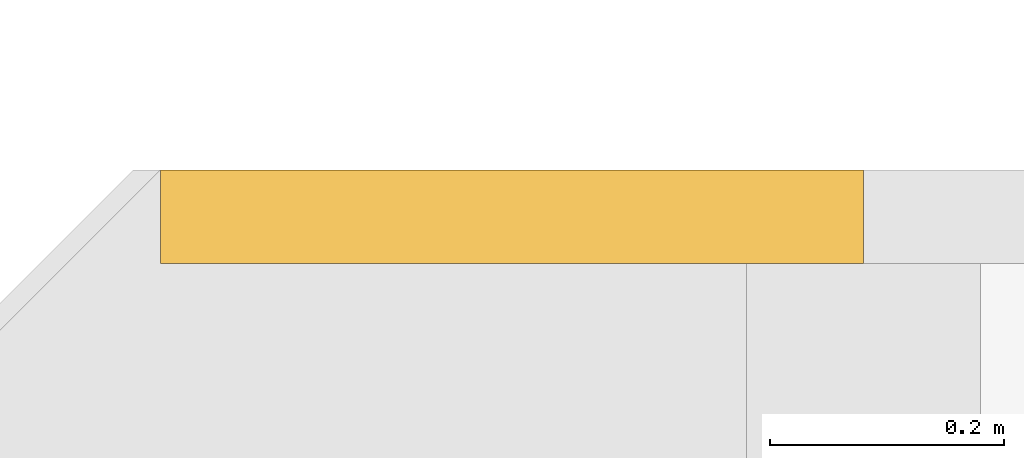
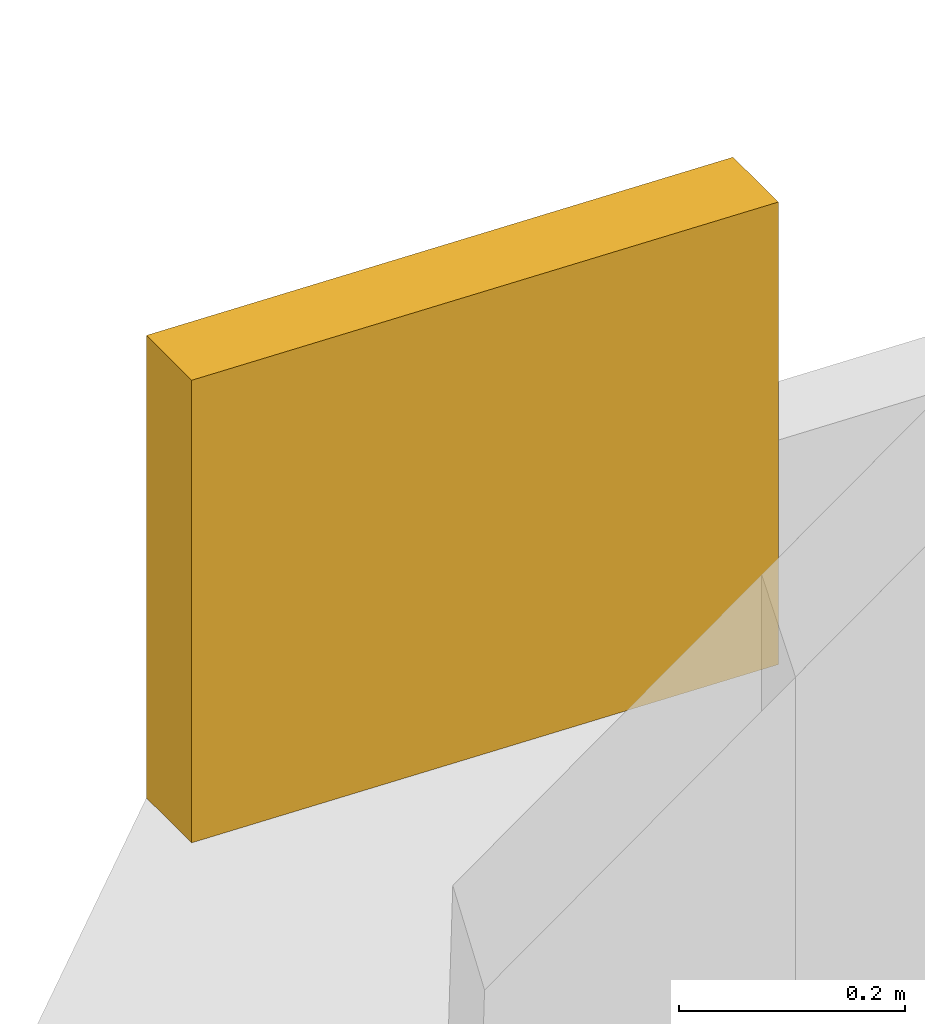
# One storey, part 29 of 29: 1 covering.
"""IFC4 building model written with IfcOpenShell, lengths in metres."""

from ifc_helpers import new_model, si_unit, direction, frame, origin, place, context, subcontext, project, spatial, polyline, outline, extrude, material, layer, layer_set, type_object, element, save


model = new_model("IFC4")

# Units and contexts
model_context = context("Model", 3, precision=1e-05, world=origin(), true_north=direction((0.0, 1.0)))
body_context = subcontext(model_context, "Body", "Model", "MODEL_VIEW")
ifc_project = project(units=[si_unit("LENGTHUNIT", "METRE"), si_unit("AREAUNIT", "SQUARE_METRE"), si_unit("VOLUMEUNIT", "CUBIC_METRE"), si_unit("PLANEANGLEUNIT", "RADIAN"), si_unit("MASSUNIT", "GRAM", prefix="KILO")], contexts=[model_context])

# Site, building, storey
site_placement = place(None, origin())
site = spatial("IfcSite", under=ifc_project, at=site_placement, CompositionType="ELEMENT")
building_placement = place(site_placement, origin())
building = spatial("IfcBuilding", under=site, at=building_placement, Name="Saffron Gate Tower", CompositionType="ELEMENT")
storey_placement = place(building_placement, frame((0.0, 0.0, 55.199951171875)))
storey = spatial("IfcBuildingStorey", under=building, at=storey_placement, Name="L12", CompositionType="ELEMENT", Elevation=55.199951171875)

# Covering
ifc_material = material(Name="Timber, thermally modified ash", Category="wood")
ifc_layer = layer(ifc_material, 0.080078125)
ifc_layer_set = layer_set([ifc_layer], Name="LD2 ledge planter trough")
covering_type = type_object("IfcCoveringType", Name="LD2 ledge planter trough", PredefinedType="CLADDING", material=ifc_layer_set)
covering_placement = place(storey_placement, frame((125.39990234375, 73.199951171875, 3.19580078125), z_axis=(0.0, 1.0, 0.0), x_axis=(-0.999582742162, 0.0, 0.028884971385)))
element("IfcCovering", 1, at=covering_placement, inside=storey, type_object=covering_type, Name="LEDGE planter trough", PredefinedType="CLADDING", context=body_context, shape_type="SweptSolid", body=[
    extrude(outline(polyline([(0.0, 0.0), (0.6001039136866089, 0.0), (0.614546399379222, 0.4997913710809928), (0.014442485692613144, 0.49979137108099286), (0.0, 0.0)])), origin(), (0.0, 0.0, -1.0), 0.080078125),
])

save(model, "model.ifc")
